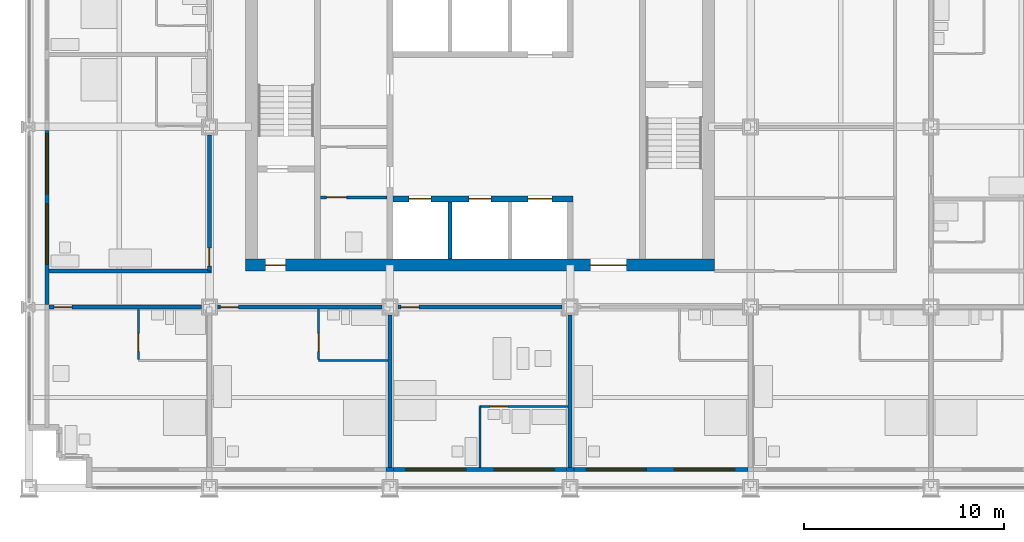
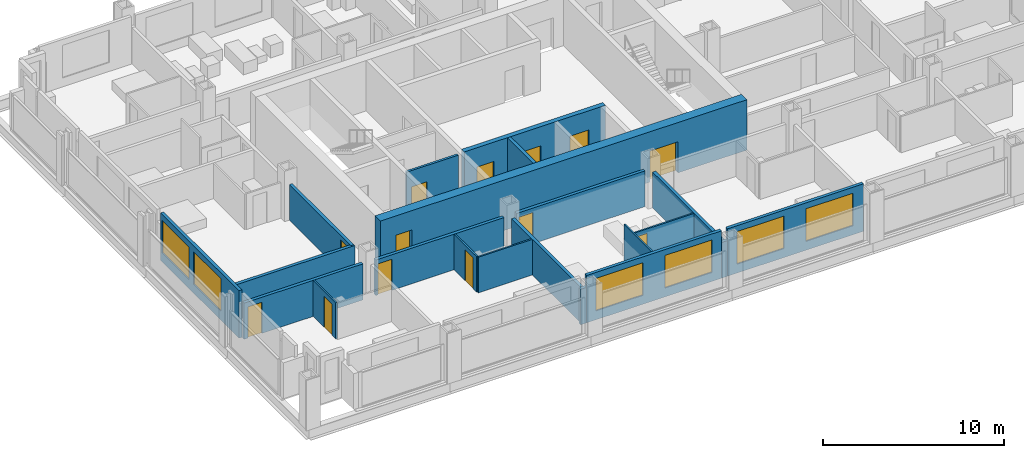
# One storey, part 10 of 18: 21 walls, 13 doors, 6 windows, 19 openings.
"""IFC4 building model written with IfcOpenShell, lengths in metres."""

from ifc_helpers import new_model, si_unit, direction, frame, frame_2d, origin, place, context, subcontext, project, spatial, rectangle, extrude, material, layer, layer_set, type_object, element, fill, save


model = new_model("IFC4")

# Units and contexts
model_context = context("Model", 3, precision=1e-05, world=origin(), true_north=direction((0.0, 1.0)))
body_context = subcontext(model_context, "Body", "Model", "MODEL_VIEW")
ifc_project = project(units=[si_unit("LENGTHUNIT", "METRE"), si_unit("AREAUNIT", "SQUARE_METRE"), si_unit("VOLUMEUNIT", "CUBIC_METRE"), si_unit("PLANEANGLEUNIT", "RADIAN"), si_unit("MASSUNIT", "GRAM", prefix="KILO")], contexts=[model_context])

# Site, building, storey
site_placement = place(None, origin())
site = spatial("IfcSite", under=ifc_project, at=site_placement, CompositionType="ELEMENT")
building_placement = place(site_placement, origin())
building = spatial("IfcBuilding", under=site, at=building_placement, Name="Loomwork Tower", CompositionType="ELEMENT")
storey_placement = place(building_placement, frame((0.0, 0.0, 41.60009765625)))
storey = spatial("IfcBuildingStorey", under=building, at=storey_placement, Name="L09", CompositionType="ELEMENT", Elevation=41.60009765625)

# Wall, openings, doors
ifc_material_1 = material(Name="Concrete 14000 psi (97 MPa)", Category="concrete")
ifc_layer_1 = layer(ifc_material_1, 0.300048828125)
ifc_layer_set_1 = layer_set([ifc_layer_1], Name="Core shear wall 300")
wall_type_1 = type_object("IfcWallType", Name="Core shear wall 300", PredefinedType="SHEAR", material=ifc_layer_set_1)
wall_1_placement = place(storey_placement, frame((18.14990234375, 14.39990234375, 0.0), z_axis=(0.0, 0.0, 1.0), x_axis=(1.0, 0.0, 0.0)))
wall_1 = element("IfcWall", 1, at=wall_1_placement, inside=storey, type_object=wall_type_1, Name="Lift front wall south L09", PredefinedType="SHEAR", context=body_context, shape_type="SweptSolid", body=[
    extrude(rectangle(XDim=9.0, YDim=0.300048828125, at=frame_2d((4.5, 0.0))), origin(), (0.0, 0.0, 1.0), 3.39990234375),
])
opening_1_placement = place(wall_1_placement, frame((0.800048828125, 0.0, 0.0)))
opening_1 = element("IfcOpeningElement", 2, at=opening_1_placement, cuts=wall_1, Name="Opening LD1", PredefinedType="OPENING", context=body_context, shape_type="SweptSolid", body=[
    extrude(rectangle(XDim=1.10009765625, YDim=2.10009765625, at=frame_2d((0.550048828125, 1.050048828125))), frame((0.0, 0.159912109375, 0.0), z_axis=(0.0, -1.0, 0.0), x_axis=(1.0, 0.0, 0.0)), (0.0, 0.0, 1.0), 0.320068359375),
])
opening_2_placement = place(wall_1_placement, frame((3.800048828125, 0.0, 0.0)))
opening_2 = element("IfcOpeningElement", 3, at=opening_2_placement, cuts=wall_1, Name="Opening LD1", PredefinedType="OPENING", context=body_context, shape_type="SweptSolid", body=[
    extrude(rectangle(XDim=1.10009765625, YDim=2.10009765625, at=frame_2d((0.550048828125, 1.050048828125))), frame((0.0, 0.159912109375, 0.0), z_axis=(0.0, -1.0, 0.0), x_axis=(1.0, 0.0, 0.0)), (0.0, 0.0, 1.0), 0.320068359375),
])
opening_3_placement = place(wall_1_placement, frame((6.75, 0.0, 0.0)))
opening_3 = element("IfcOpeningElement", 4, at=opening_3_placement, cuts=wall_1, Name="Opening LD2", PredefinedType="OPENING", context=body_context, shape_type="SweptSolid", body=[
    extrude(rectangle(XDim=1.199951171875, YDim=2.10009765625, at=frame_2d((0.60009765625, 1.050048828125))), frame((0.0, 0.159912109375, 0.0), z_axis=(0.0, -1.0, 0.0), x_axis=(1.0, 0.0, 0.0)), (0.0, 0.0, 1.0), 0.320068359375),
])
ifc_material_2 = material(Name="Hollow metal door and frame")
door_type_1 = type_object("IfcDoorType", Name="Lift landing door 1100", OperationType="SLIDING_TO_LEFT", PredefinedType="DOOR", material=ifc_material_2)
door_1_placement = place(opening_1_placement, origin())
door_1 = element("IfcDoor", 5, at=door_1_placement, inside=storey, type_object=door_type_1, Name="Lift landing door LA1", OperationType="SLIDING_TO_LEFT", OverallHeight=2.10009765625, OverallWidth=1.10009765625, PredefinedType="DOOR", context=body_context, shape_type="SweptSolid", body=[
    extrude(rectangle(XDim=1.10009765625, YDim=2.10009765625, at=frame_2d((0.550048828125, 1.050048828125))), frame((0.0, 0.02490234375, 0.0), z_axis=(0.0, -1.0, 0.0), x_axis=(1.0, 0.0, 0.0)), (0.0, 0.0, 1.0), 0.050048828125),
])
fill(opening_1, door_1)
door_2_placement = place(opening_2_placement, origin())
door_2 = element("IfcDoor", 6, at=door_2_placement, inside=storey, type_object=door_type_1, Name="Lift landing door LA2", OperationType="SLIDING_TO_LEFT", OverallHeight=2.10009765625, OverallWidth=1.10009765625, PredefinedType="DOOR", context=body_context, shape_type="SweptSolid", body=[
    extrude(rectangle(XDim=1.10009765625, YDim=2.10009765625, at=frame_2d((0.550048828125, 1.050048828125))), frame((0.0, 0.02490234375, 0.0), z_axis=(0.0, -1.0, 0.0), x_axis=(1.0, 0.0, 0.0)), (0.0, 0.0, 1.0), 0.050048828125),
])
fill(opening_2, door_2)
ifc_material_3 = material(Name="Hollow metal door and frame")
door_type_2 = type_object("IfcDoorType", Name="Lift landing door 1200", OperationType="SLIDING_TO_LEFT", PredefinedType="DOOR", material=ifc_material_3)
door_3_placement = place(opening_3_placement, origin())
door_3 = element("IfcDoor", 7, at=door_3_placement, inside=storey, type_object=door_type_2, Name="Lift landing door LF1", OperationType="SLIDING_TO_LEFT", OverallHeight=2.10009765625, OverallWidth=1.199951171875, PredefinedType="DOOR", context=body_context, shape_type="SweptSolid", body=[
    extrude(rectangle(XDim=1.199951171875, YDim=2.10009765625, at=frame_2d((0.60009765625, 1.050048828125))), frame((0.0, 0.02490234375, 0.0), z_axis=(0.0, -1.0, 0.0), x_axis=(1.0, 0.0, 0.0)), (0.0, 0.0, 1.0), 0.050048828125),
])
fill(opening_3, door_3)

ifc_material_4 = material(Name="Concrete 14000 psi (97 MPa)", Category="concrete")
ifc_layer_2 = layer(ifc_material_4, 0.60009765625)
ifc_layer_set_2 = layer_set([ifc_layer_2], Name="Core shear wall 600")
wall_type_2 = type_object("IfcWallType", Name="Core shear wall 600", PredefinedType="SHEAR", material=ifc_layer_set_2)
wall_2_placement = place(storey_placement, frame((10.800048828125, 11.10009765625, 0.0), z_axis=(0.0, 0.0, 1.0), x_axis=(1.0, 0.0, 0.0)))
wall_2 = element("IfcWall", 8, at=wall_2_placement, inside=storey, type_object=wall_type_2, Name="Core wall south L09", PredefinedType="SHEAR", context=body_context, shape_type="SweptSolid", body=[
    extrude(rectangle(XDim=23.39990234375, YDim=0.60009765625, at=frame_2d((11.699951171875, 0.0))), origin(), (0.0, 0.0, 1.0), 3.39990234375),
])
opening_4_placement = place(wall_2_placement, frame((1.0, 0.0, 0.0)))
opening_4 = element("IfcOpeningElement", 9, at=opening_4_placement, cuts=wall_2, Name="Opening D4", PredefinedType="OPENING", context=body_context, shape_type="SweptSolid", body=[
    extrude(rectangle(XDim=1.0, YDim=2.10009765625, at=frame_2d((0.5, 1.050048828125))), frame((0.0, 0.31005859375, 0.0), z_axis=(0.0, -1.0, 0.0), x_axis=(1.0, 0.0, 0.0)), (0.0, 0.0, 1.0), 0.6201171875),
])
opening_5_placement = place(wall_2_placement, frame((17.199951171875, 0.0, 0.0)))
opening_5 = element("IfcOpeningElement", 10, at=opening_5_placement, cuts=wall_2, Name="Opening D6", PredefinedType="OPENING", context=body_context, shape_type="SweptSolid", body=[
    extrude(rectangle(XDim=1.800048828125, YDim=2.10009765625, at=frame_2d((0.89990234375, 1.050048828125))), frame((0.0, 0.31005859375, 0.0), z_axis=(0.0, -1.0, 0.0), x_axis=(1.0, 0.0, 0.0)), (0.0, 0.0, 1.0), 0.6201171875),
])
ifc_material_5 = material(Name="Hollow metal door and frame")
door_type_3 = type_object("IfcDoorType", Name="Lobby passage double door 1800", OperationType="DOUBLE_DOOR_SINGLE_SWING", PredefinedType="DOOR", material=ifc_material_5)
door_4_placement = place(opening_5_placement, origin())
door_4 = element("IfcDoor", 11, at=door_4_placement, inside=storey, type_object=door_type_3, Name="Lobby passage door south", OperationType="DOUBLE_DOOR_SINGLE_SWING", OverallHeight=2.10009765625, OverallWidth=1.800048828125, PredefinedType="DOOR", context=body_context, shape_type="SweptSolid", body=[
    extrude(rectangle(XDim=1.800048828125, YDim=2.10009765625, at=frame_2d((0.89990234375, 1.050048828125))), frame((0.0, 0.02490234375, 0.0), z_axis=(0.0, -1.0, 0.0), x_axis=(1.0, 0.0, 0.0)), (0.0, 0.0, 1.0), 0.050048828125),
])
fill(opening_5, door_4)
ifc_material_6 = material(Name="Hollow metal door and frame")
door_type_4 = type_object("IfcDoorType", Name="Stair door 1000", OperationType="SINGLE_SWING_RIGHT", PredefinedType="DOOR", material=ifc_material_6)
door_5_placement = place(opening_4_placement, origin())
door_5 = element("IfcDoor", 12, at=door_5_placement, inside=storey, type_object=door_type_4, Name="Stair A vestibule door", OperationType="SINGLE_SWING_LEFT", OverallHeight=2.10009765625, OverallWidth=1.0, PredefinedType="DOOR", context=body_context, shape_type="SweptSolid", body=[
    extrude(rectangle(XDim=1.0, YDim=2.10009765625, at=frame_2d((0.5, 1.050048828125))), frame((0.0, 0.02490234375, 0.0), z_axis=(0.0, -1.0, 0.0), x_axis=(1.0, 0.0, 0.0)), (0.0, 0.0, 1.0), 0.050048828125),
])
fill(opening_4, door_5)

# Wall, opening, door
ifc_material_7 = material(Name="Gypsum board on steel studs, one-hour", Category="steel")
ifc_layer_3 = layer(ifc_material_7, 0.199951171875)
ifc_layer_set_3 = layer_set([ifc_layer_3], Name="Corridor wall 200")
wall_type_3 = type_object("IfcWallType", Name="Corridor wall 200", PredefinedType="PARTITIONING", material=ifc_layer_set_3)
wall_3_placement = place(storey_placement, frame((1.0, 9.0, 0.0), z_axis=(0.0, 0.0, 1.0), x_axis=(1.0, 0.0, 0.0)))
wall_3 = element("IfcWall", 13, at=wall_3_placement, inside=storey, type_object=wall_type_3, Name="South corridor wall 1", PredefinedType="PARTITIONING", context=body_context, shape_type="SweptSolid", body=[
    extrude(rectangle(XDim=7.60009765625, YDim=0.199951171875, at=frame_2d((3.800048828125, 0.0))), origin(), (0.0, 0.0, 1.0), 2.43798828125),
])
opening_6_placement = place(wall_3_placement, frame((0.25, 0.0, 0.0)))
opening_6 = element("IfcOpeningElement", 14, at=opening_6_placement, cuts=wall_3, Name="Opening D1", PredefinedType="OPENING", context=body_context, shape_type="SweptSolid", body=[
    extrude(rectangle(XDim=0.89990234375, YDim=2.10009765625, at=frame_2d((0.449951171875, 1.050048828125))), frame((0.0, 0.10986328125, 0.0), z_axis=(0.0, -1.0, 0.0), x_axis=(1.0, 0.0, 0.0)), (0.0, 0.0, 1.0), 0.219970703125),
])
ifc_material_8 = material(Name="Hollow metal door and frame")
door_type_5 = type_object("IfcDoorType", Name="Guest room entry door 900", OperationType="SINGLE_SWING_LEFT", PredefinedType="DOOR", material=ifc_material_8)
door_6_placement = place(opening_6_placement, frame((0.89990234375, 0.0, 0.0), z_axis=(0.0, 0.0, 1.0), x_axis=(-1.0, 0.0, 0.0)))
door_6 = element("IfcDoor", 15, at=door_6_placement, inside=storey, type_object=door_type_5, Name="Guest room entry door L09 1", OperationType="SINGLE_SWING_RIGHT", OverallHeight=2.10009765625, OverallWidth=0.89990234375, PredefinedType="DOOR", context=body_context, shape_type="SweptSolid", body=[
    extrude(rectangle(XDim=0.89990234375, YDim=2.10009765625, at=frame_2d((0.449951171875, 1.050048828125))), frame((0.0, 0.02490234375, 0.0), z_axis=(0.0, -1.0, 0.0), x_axis=(1.0, 0.0, 0.0)), (0.0, 0.0, 1.0), 0.050048828125),
])
fill(opening_6, door_6)

wall_4_placement = place(storey_placement, frame((9.39990234375, 9.0, 0.0), z_axis=(0.0, 0.0, 1.0), x_axis=(1.0, 0.0, 0.0)))
wall_4 = element("IfcWall", 16, at=wall_4_placement, inside=storey, type_object=wall_type_3, Name="South corridor wall 2", PredefinedType="PARTITIONING", context=body_context, shape_type="SweptSolid", body=[
    extrude(rectangle(XDim=8.2001953125, YDim=0.199951171875, at=frame_2d((4.10009765625, 0.0))), origin(), (0.0, 0.0, 1.0), 2.40478515625),
])
opening_7_placement = place(wall_4_placement, frame((0.14990234375, 0.0, 0.0)))
opening_7 = element("IfcOpeningElement", 17, at=opening_7_placement, cuts=wall_4, Name="Opening D1", PredefinedType="OPENING", context=body_context, shape_type="SweptSolid", body=[
    extrude(rectangle(XDim=0.89990234375, YDim=2.10009765625, at=frame_2d((0.449951171875, 1.050048828125))), frame((0.0, 0.10986328125, 0.0), z_axis=(0.0, -1.0, 0.0), x_axis=(1.0, 0.0, 0.0)), (0.0, 0.0, 1.0), 0.219970703125),
])
door_7_placement = place(opening_7_placement, frame((0.89990234375, 0.0, 0.0), z_axis=(0.0, 0.0, 1.0), x_axis=(-1.0, 0.0, 0.0)))
door_7 = element("IfcDoor", 18, at=door_7_placement, inside=storey, type_object=door_type_5, Name="Guest room entry door L09 2", OperationType="SINGLE_SWING_RIGHT", OverallHeight=2.10009765625, OverallWidth=0.89990234375, PredefinedType="DOOR", context=body_context, shape_type="SweptSolid", body=[
    extrude(rectangle(XDim=0.89990234375, YDim=2.10009765625, at=frame_2d((0.449951171875, 1.050048828125))), frame((0.0, 0.02490234375, 0.0), z_axis=(0.0, -1.0, 0.0), x_axis=(1.0, 0.0, 0.0)), (0.0, 0.0, 1.0), 0.050048828125),
])
fill(opening_7, door_7)

wall_5_placement = place(storey_placement, frame((18.39990234375, 9.0, 0.0), z_axis=(0.0, 0.0, 1.0), x_axis=(1.0, 0.0, 0.0)))
wall_5 = element("IfcWall", 19, at=wall_5_placement, inside=storey, type_object=wall_type_3, Name="South corridor wall 3", PredefinedType="PARTITIONING", context=body_context, shape_type="SweptSolid", body=[
    extrude(rectangle(XDim=8.2001953125, YDim=0.199951171875, at=frame_2d((4.10009765625, 0.0))), origin(), (0.0, 0.0, 1.0), 2.40478515625),
])
opening_8_placement = place(wall_5_placement, frame((0.14990234375, 0.0, 0.0)))
opening_8 = element("IfcOpeningElement", 20, at=opening_8_placement, cuts=wall_5, Name="Opening D1", PredefinedType="OPENING", context=body_context, shape_type="SweptSolid", body=[
    extrude(rectangle(XDim=0.89990234375, YDim=2.10009765625, at=frame_2d((0.449951171875, 1.050048828125))), frame((0.0, 0.10986328125, 0.0), z_axis=(0.0, -1.0, 0.0), x_axis=(1.0, 0.0, 0.0)), (0.0, 0.0, 1.0), 0.219970703125),
])
door_8_placement = place(opening_8_placement, frame((0.89990234375, 0.0, 0.0), z_axis=(0.0, 0.0, 1.0), x_axis=(-1.0, 0.0, 0.0)))
door_8 = element("IfcDoor", 21, at=door_8_placement, inside=storey, type_object=door_type_5, Name="Guest room entry door L09 3", OperationType="SINGLE_SWING_RIGHT", OverallHeight=2.10009765625, OverallWidth=0.89990234375, PredefinedType="DOOR", context=body_context, shape_type="SweptSolid", body=[
    extrude(rectangle(XDim=0.89990234375, YDim=2.10009765625, at=frame_2d((0.449951171875, 1.050048828125))), frame((0.0, 0.02490234375, 0.0), z_axis=(0.0, -1.0, 0.0), x_axis=(1.0, 0.0, 0.0)), (0.0, 0.0, 1.0), 0.050048828125),
])
fill(opening_8, door_8)

wall_6_placement = place(storey_placement, frame((9.0, 10.800048828125, 0.0), z_axis=(0.0, 0.0, 1.0), x_axis=(0.0, 1.0, 0.0)))
wall_6 = element("IfcWall", 22, at=wall_6_placement, inside=storey, type_object=wall_type_3, Name="West corridor wall 1", PredefinedType="PARTITIONING", context=body_context, shape_type="SweptSolid", body=[
    extrude(rectangle(XDim=6.800048828125, YDim=0.199951171875, at=frame_2d((3.39990234375, 0.0))), origin(), (0.0, 0.0, 1.0), 2.40478515625),
])
opening_9_placement = place(wall_6_placement, frame((0.25, 0.0, 0.0)))
opening_9 = element("IfcOpeningElement", 23, at=opening_9_placement, cuts=wall_6, Name="Opening D1", PredefinedType="OPENING", context=body_context, shape_type="SweptSolid", body=[
    extrude(rectangle(XDim=0.89990234375, YDim=2.10009765625, at=frame_2d((0.449951171875, 1.050048828125))), frame((0.0, 0.10986328125, 0.0), z_axis=(0.0, -1.0, 0.0), x_axis=(1.0, 0.0, 0.0)), (0.0, 0.0, 1.0), 0.219970703125),
])
door_9_placement = place(opening_9_placement, origin())
door_9 = element("IfcDoor", 24, at=door_9_placement, inside=storey, type_object=door_type_5, Name="Guest room entry door L09 14", OperationType="SINGLE_SWING_LEFT", OverallHeight=2.10009765625, OverallWidth=0.89990234375, PredefinedType="DOOR", context=body_context, shape_type="SweptSolid", body=[
    extrude(rectangle(XDim=0.89990234375, YDim=2.10009765625, at=frame_2d((0.449951171875, 1.050048828125))), frame((0.0, 0.02490234375, 0.0), z_axis=(0.0, -1.0, 0.0), x_axis=(1.0, 0.0, 0.0)), (0.0, 0.0, 1.0), 0.050048828125),
])
fill(opening_9, door_9)

# Wall
wall_7_placement = place(storey_placement, frame((1.0, 10.800048828125, 0.0), z_axis=(0.0, 0.0, 1.0), x_axis=(1.0, 0.0, 0.0)))
element("IfcWall", 25, at=wall_7_placement, inside=storey, type_object=wall_type_3, Name="West band end wall S", PredefinedType="PARTITIONING", context=body_context, shape_type="SweptSolid", body=[
    extrude(rectangle(XDim=8.10009765625, YDim=0.199951171875, at=frame_2d((4.050048828125, 0.0))), origin(), (0.0, 0.0, 1.0), 2.40380859375),
])

# Wall, opening, door
ifc_material_9 = material(Name="Cement board on steel studs", Category="steel")
ifc_layer_4 = layer(ifc_material_9, 0.10009765625)
ifc_layer_set_4 = layer_set([ifc_layer_4], Name="En-suite partition 100")
wall_type_4 = type_object("IfcWallType", Name="En-suite partition 100", PredefinedType="PARTITIONING", material=ifc_layer_set_4)
wall_8_placement = place(storey_placement, frame((5.449951171875, 8.89990234375, 0.0), z_axis=(0.0, 0.0, 1.0), x_axis=(0.0, -1.0, 0.0)))
wall_8 = element("IfcWall", 26, at=wall_8_placement, inside=storey, type_object=wall_type_4, Name="En-suite side wall L09 room 1", PredefinedType="PARTITIONING", context=body_context, shape_type="SweptSolid", body=[
    extrude(rectangle(XDim=2.5, YDim=0.10009765625, at=frame_2d((1.25, 0.0))), origin(), (0.0, 0.0, 1.0), 2.43798828125),
])
opening_10_placement = place(wall_8_placement, frame((1.199951171875, 0.0, 0.0)))
opening_10 = element("IfcOpeningElement", 27, at=opening_10_placement, cuts=wall_8, Name="Opening D3", PredefinedType="OPENING", context=body_context, shape_type="SweptSolid", body=[
    extrude(rectangle(XDim=0.89990234375, YDim=2.10009765625, at=frame_2d((0.449951171875, 1.050048828125))), frame((0.0, 0.06005859375, 0.0), z_axis=(0.0, -1.0, 0.0), x_axis=(1.0, 0.0, 0.0)), (0.0, 0.0, 1.0), 0.1201171875),
])
ifc_material_10 = material(Name="Hollow metal door and frame")
door_type_6 = type_object("IfcDoorType", Name="Accessible en-suite door 900", OperationType="SLIDING_TO_LEFT", PredefinedType="DOOR", material=ifc_material_10)
door_10_placement = place(opening_10_placement, origin())
door_10 = element("IfcDoor", 28, at=door_10_placement, inside=storey, type_object=door_type_6, Name="Accessible en-suite door room 1", OperationType="SLIDING_TO_LEFT", OverallHeight=2.10009765625, OverallWidth=0.89990234375, PredefinedType="DOOR", context=body_context, shape_type="SweptSolid", body=[
    extrude(rectangle(XDim=0.89990234375, YDim=2.10009765625, at=frame_2d((0.449951171875, 1.050048828125))), frame((0.0, 0.02490234375, 0.0), z_axis=(0.0, -1.0, 0.0), x_axis=(1.0, 0.0, 0.0)), (0.0, 0.0, 1.0), 0.050048828125),
])
fill(opening_10, door_10)

# Wall
wall_9_placement = place(storey_placement, frame((14.449951171875, 6.35009765625, 0.0), z_axis=(0.0, 0.0, 1.0), x_axis=(1.0, 0.0, 0.0)))
element("IfcWall", 29, at=wall_9_placement, inside=storey, type_object=wall_type_4, Name="En-suite wall L09 room 2", PredefinedType="PARTITIONING", context=body_context, shape_type="SweptSolid", body=[
    extrude(rectangle(XDim=3.449951171875, YDim=0.10009765625, at=frame_2d((1.72509765625, 0.0))), origin(), (0.0, 0.0, 1.0), 2.40380859375),
])

# Wall, opening, door
wall_10_placement = place(storey_placement, frame((14.449951171875, 8.89990234375, 0.0), z_axis=(0.0, 0.0, 1.0), x_axis=(0.0, -1.0, 0.0)))
wall_10 = element("IfcWall", 30, at=wall_10_placement, inside=storey, type_object=wall_type_4, Name="En-suite side wall L09 room 2", PredefinedType="PARTITIONING", context=body_context, shape_type="SweptSolid", body=[
    extrude(rectangle(XDim=2.5, YDim=0.10009765625, at=frame_2d((1.25, 0.0))), origin(), (0.0, 0.0, 1.0), 2.40380859375),
])
opening_11_placement = place(wall_10_placement, frame((1.199951171875, 0.0, 0.0)))
opening_11 = element("IfcOpeningElement", 31, at=opening_11_placement, cuts=wall_10, Name="Opening D2", PredefinedType="OPENING", context=body_context, shape_type="SweptSolid", body=[
    extrude(rectangle(XDim=0.89990234375, YDim=2.10009765625, at=frame_2d((0.449951171875, 1.050048828125))), frame((0.0, 0.06005859375, 0.0), z_axis=(0.0, -1.0, 0.0), x_axis=(1.0, 0.0, 0.0)), (0.0, 0.0, 1.0), 0.1201171875),
])
ifc_material_11 = material(Name="Hollow metal door and frame")
door_type_7 = type_object("IfcDoorType", Name="En-suite door 900", OperationType="SINGLE_SWING_LEFT", PredefinedType="DOOR", material=ifc_material_11)
door_11_placement = place(opening_11_placement, origin())
door_11 = element("IfcDoor", 32, at=door_11_placement, inside=storey, type_object=door_type_7, Name="En-suite door room 2", OperationType="SINGLE_SWING_RIGHT", OverallHeight=2.10009765625, OverallWidth=0.89990234375, PredefinedType="DOOR", context=body_context, shape_type="SweptSolid", body=[
    extrude(rectangle(XDim=0.89990234375, YDim=2.10009765625, at=frame_2d((0.449951171875, 1.050048828125))), frame((0.0, 0.02490234375, 0.0), z_axis=(0.0, -1.0, 0.0), x_axis=(1.0, 0.0, 0.0)), (0.0, 0.0, 1.0), 0.050048828125),
])
fill(opening_11, door_11)

wall_11_placement = place(storey_placement, frame((22.5, 4.050048828125, 0.0), z_axis=(0.0, 0.0, 1.0), x_axis=(1.0, 0.0, 0.0)))
wall_11 = element("IfcWall", 33, at=wall_11_placement, inside=storey, type_object=wall_type_4, Name="Spa bathroom wall L09 room 3", PredefinedType="PARTITIONING", context=body_context, shape_type="SweptSolid", body=[
    extrude(rectangle(XDim=4.39990234375, YDim=0.10009765625, at=frame_2d((2.199951171875, 0.0))), origin(), (0.0, 0.0, 1.0), 2.40380859375),
])
opening_12_placement = place(wall_11_placement, frame((0.5, 0.0, 0.0)))
opening_12 = element("IfcOpeningElement", 34, at=opening_12_placement, cuts=wall_11, Name="Opening D2", PredefinedType="OPENING", context=body_context, shape_type="SweptSolid", body=[
    extrude(rectangle(XDim=0.89990234375, YDim=2.10009765625, at=frame_2d((0.449951171875, 1.050048828125))), frame((0.0, 0.06005859375, 0.0), z_axis=(0.0, -1.0, 0.0), x_axis=(1.0, 0.0, 0.0)), (0.0, 0.0, 1.0), 0.1201171875),
])
door_12_placement = place(opening_12_placement, frame((0.89990234375, 0.0, 0.0), z_axis=(0.0, 0.0, 1.0), x_axis=(-1.0, 0.0, 0.0)))
door_12 = element("IfcDoor", 35, at=door_12_placement, inside=storey, type_object=door_type_7, Name="Spa bathroom door room 3", OperationType="SINGLE_SWING_RIGHT", OverallHeight=2.10009765625, OverallWidth=0.89990234375, PredefinedType="DOOR", context=body_context, shape_type="SweptSolid", body=[
    extrude(rectangle(XDim=0.89990234375, YDim=2.10009765625, at=frame_2d((0.449951171875, 1.050048828125))), frame((0.0, 0.02490234375, 0.0), z_axis=(0.0, -1.0, 0.0), x_axis=(1.0, 0.0, 0.0)), (0.0, 0.0, 1.0), 0.050048828125),
])
fill(opening_12, door_12)

# Walls
wall_12_placement = place(storey_placement, frame((22.5, 4.050048828125, 0.0), z_axis=(0.0, 0.0, 1.0), x_axis=(0.0, -1.0, 0.0)))
element("IfcWall", 36, at=wall_12_placement, inside=storey, type_object=wall_type_4, Name="Spa bathroom side wall L09 room 3", PredefinedType="PARTITIONING", context=body_context, shape_type="SweptSolid", body=[
    extrude(rectangle(XDim=3.050048828125, YDim=0.10009765625, at=frame_2d((1.52490234375, 0.0))), origin(), (0.0, 0.0, 1.0), 3.199951171875),
])
ifc_material_12 = material(Name="Gypsum board on steel studs, acoustic", Category="steel")
ifc_layer_5 = layer(ifc_material_12, 0.199951171875)
ifc_layer_set_5 = layer_set([ifc_layer_5], Name="Guest room party wall 200")
wall_type_5 = type_object("IfcWallType", Name="Guest room party wall 200", PredefinedType="PARTITIONING", material=ifc_layer_set_5)
for number, where, z_axis, x_axis, name in (
    (37, (18.0, 8.60009765625, 0.0), (0.0, 0.0, 1.0), (0.0, -1.0, 0.0), "Guest room party wall S 18"),
    (38, (27.0, 8.60009765625, 0.0), (0.0, 0.0, 1.0), (0.0, -1.0, 0.0), "Guest room party wall S 27"),
):
    element("IfcWall", number, at=place(storey_placement, frame(where, z_axis=z_axis, x_axis=x_axis)), inside=storey, type_object=wall_type_5, Name=name, PredefinedType="PARTITIONING", context=body_context, shape_type="SweptSolid", body=[
        extrude(rectangle(XDim=7.60009765625, YDim=0.199951171875, at=frame_2d((3.800048828125, 0.0))), origin(), (0.0, 0.0, 1.0), 2.40478515625),
    ])
ifc_material_13 = material(Name="Insulated steel stud wall with gypsum lining", Category="steel")
ifc_layer_6 = layer(ifc_material_13, 0.199951171875)
ifc_layer_set_6 = layer_set([ifc_layer_6], Name="Inner skin wall 200")
wall_type_6 = type_object("IfcWallType", Name="Inner skin wall 200", PredefinedType="SOLIDWALL", material=ifc_layer_set_6)
wall_13_placement = place(storey_placement, frame((17.80615234375, 0.89990234375, 0.0), z_axis=(0.0, 0.0, 1.0), x_axis=(1.0, 0.0, 0.0)))
element("IfcWall", 39, at=wall_13_placement, inside=storey, type_object=wall_type_6, Name="Inner skin wall S bay 4", PredefinedType="SOLIDWALL", context=body_context, shape_type="SweptSolid", body=[
    extrude(rectangle(XDim=0.3876953125, YDim=0.199951171875, at=frame_2d((0.19384765625, 0.0))), origin(), (0.0, 0.0, 1.0), 2.40380859375),
])

# Wall, openings, windows
wall_14_placement = place(storey_placement, frame((18.19384765625, 0.89990234375, 0.0), z_axis=(0.0, 0.0, 1.0), x_axis=(1.0, 0.0, 0.0)))
wall_14 = element("IfcWall", 40, at=wall_14_placement, inside=storey, type_object=wall_type_6, Name="Inner skin wall S bay 5", PredefinedType="SOLIDWALL", context=body_context, shape_type="SweptSolid", body=[
    extrude(rectangle(XDim=8.6123046875, YDim=0.199951171875, at=frame_2d((4.30615234375, 0.0))), origin(), (0.0, 0.0, 1.0), 3.199951171875),
])
opening_13_placement = place(wall_14_placement, frame((0.606201171875, 0.0, 0.60009765625)))
opening_13 = element("IfcOpeningElement", 41, at=opening_13_placement, cuts=wall_14, Name="Opening CH1", PredefinedType="OPENING", context=body_context, shape_type="SweptSolid", body=[
    extrude(rectangle(XDim=3.0, YDim=2.199951171875, at=frame_2d((1.5, 1.10009765625))), frame((0.0, 0.10986328125, 0.0), z_axis=(0.0, -1.0, 0.0), x_axis=(1.0, 0.0, 0.0)), (0.0, 0.0, 1.0), 0.219970703125),
])
opening_14_placement = place(wall_14_placement, frame((5.006103515625, 0.0, 0.60009765625)))
opening_14 = element("IfcOpeningElement", 42, at=opening_14_placement, cuts=wall_14, Name="Opening CH1", PredefinedType="OPENING", context=body_context, shape_type="SweptSolid", body=[
    extrude(rectangle(XDim=3.0, YDim=2.199951171875, at=frame_2d((1.5, 1.10009765625))), frame((0.0, 0.10986328125, 0.0), z_axis=(0.0, -1.0, 0.0), x_axis=(1.0, 0.0, 0.0)), (0.0, 0.0, 1.0), 0.219970703125),
])
ifc_material_14 = material(Name="Aluminium frame with clear insulated glass", Category="aluminium")
window_type = type_object("IfcWindowType", Name="Chicago window 3000", PartitioningType="TRIPLE_PANEL_VERTICAL", PredefinedType="WINDOW", material=ifc_material_14)
window_1_placement = place(opening_13_placement, origin())
window_1 = element("IfcWindow", 43, at=window_1_placement, inside=storey, type_object=window_type, Name="Chicago window L09 bay 3", OverallHeight=2.199951171875, OverallWidth=3.0, PartitioningType="TRIPLE_PANEL_VERTICAL", PredefinedType="WINDOW", context=body_context, shape_type="SweptSolid", body=[
    extrude(rectangle(XDim=3.0, YDim=2.199951171875, at=frame_2d((1.5, 1.10009765625))), frame((0.0, 0.030029296875, 0.0), z_axis=(0.0, -1.0, 0.0), x_axis=(1.0, 0.0, 0.0)), (0.0, 0.0, 1.0), 0.06005859375),
])
fill(opening_13, window_1)
window_2_placement = place(opening_14_placement, origin())
window_2 = element("IfcWindow", 44, at=window_2_placement, inside=storey, type_object=window_type, Name="Chicago window L09 bay 3", OverallHeight=2.199951171875, OverallWidth=3.0, PartitioningType="TRIPLE_PANEL_VERTICAL", PredefinedType="WINDOW", context=body_context, shape_type="SweptSolid", body=[
    extrude(rectangle(XDim=3.0, YDim=2.199951171875, at=frame_2d((1.5, 1.10009765625))), frame((0.0, 0.030029296875, 0.0), z_axis=(0.0, -1.0, 0.0), x_axis=(1.0, 0.0, 0.0)), (0.0, 0.0, 1.0), 0.06005859375),
])
fill(opening_14, window_2)

# Wall
wall_15_placement = place(storey_placement, frame((26.80615234375, 0.89990234375, 0.0), z_axis=(0.0, 0.0, 1.0), x_axis=(1.0, 0.0, 0.0)))
element("IfcWall", 45, at=wall_15_placement, inside=storey, type_object=wall_type_6, Name="Inner skin wall S bay 6", PredefinedType="SOLIDWALL", context=body_context, shape_type="SweptSolid", body=[
    extrude(rectangle(XDim=0.3876953125, YDim=0.199951171875, at=frame_2d((0.19384765625, 0.0))), origin(), (0.0, 0.0, 1.0), 2.40380859375),
])

# Wall, openings, windows
wall_16_placement = place(storey_placement, frame((27.19384765625, 0.89990234375, 0.0), z_axis=(0.0, 0.0, 1.0), x_axis=(1.0, 0.0, 0.0)))
wall_16 = element("IfcWall", 46, at=wall_16_placement, inside=storey, type_object=wall_type_6, Name="Inner skin wall S bay 7", PredefinedType="SOLIDWALL", context=body_context, shape_type="SweptSolid", body=[
    extrude(rectangle(XDim=8.670654296875, YDim=0.199951171875, at=frame_2d((4.33544921875, 0.0))), origin(), (0.0, 0.0, 1.0), 3.199951171875),
])
opening_15_placement = place(wall_16_placement, frame((0.606201171875, 0.0, 0.60009765625)))
opening_15 = element("IfcOpeningElement", 47, at=opening_15_placement, cuts=wall_16, Name="Opening CH1", PredefinedType="OPENING", context=body_context, shape_type="SweptSolid", body=[
    extrude(rectangle(XDim=3.0, YDim=2.199951171875, at=frame_2d((1.5, 1.10009765625))), frame((0.0, 0.10986328125, 0.0), z_axis=(0.0, -1.0, 0.0), x_axis=(1.0, 0.0, 0.0)), (0.0, 0.0, 1.0), 0.219970703125),
])
opening_16_placement = place(wall_16_placement, frame((5.006103515625, 0.0, 0.60009765625)))
opening_16 = element("IfcOpeningElement", 48, at=opening_16_placement, cuts=wall_16, Name="Opening CH1", PredefinedType="OPENING", context=body_context, shape_type="SweptSolid", body=[
    extrude(rectangle(XDim=3.0, YDim=2.199951171875, at=frame_2d((1.5, 1.10009765625))), frame((0.0, 0.10986328125, 0.0), z_axis=(0.0, -1.0, 0.0), x_axis=(1.0, 0.0, 0.0)), (0.0, 0.0, 1.0), 0.219970703125),
])
window_3_placement = place(opening_15_placement, origin())
window_3 = element("IfcWindow", 49, at=window_3_placement, inside=storey, type_object=window_type, Name="Chicago window L09 bay 4", OverallHeight=2.199951171875, OverallWidth=3.0, PartitioningType="TRIPLE_PANEL_VERTICAL", PredefinedType="WINDOW", context=body_context, shape_type="SweptSolid", body=[
    extrude(rectangle(XDim=3.0, YDim=2.199951171875, at=frame_2d((1.5, 1.10009765625))), frame((0.0, 0.030029296875, 0.0), z_axis=(0.0, -1.0, 0.0), x_axis=(1.0, 0.0, 0.0)), (0.0, 0.0, 1.0), 0.06005859375),
])
fill(opening_15, window_3)
window_4_placement = place(opening_16_placement, origin())
window_4 = element("IfcWindow", 50, at=window_4_placement, inside=storey, type_object=window_type, Name="Chicago window L09 bay 4", OverallHeight=2.199951171875, OverallWidth=3.0, PartitioningType="TRIPLE_PANEL_VERTICAL", PredefinedType="WINDOW", context=body_context, shape_type="SweptSolid", body=[
    extrude(rectangle(XDim=3.0, YDim=2.199951171875, at=frame_2d((1.5, 1.10009765625))), frame((0.0, 0.030029296875, 0.0), z_axis=(0.0, -1.0, 0.0), x_axis=(1.0, 0.0, 0.0)), (0.0, 0.0, 1.0), 0.06005859375),
])
fill(opening_16, window_4)

wall_17_placement = place(storey_placement, frame((0.89990234375, 9.13525390625, 0.0), z_axis=(0.0, 0.0, 1.0), x_axis=(0.0, 1.0, 0.0)))
wall_17 = element("IfcWall", 51, at=wall_17_placement, inside=storey, type_object=wall_type_6, Name="Inner skin wall W bay 5", PredefinedType="SOLIDWALL", context=body_context, shape_type="SweptSolid", body=[
    extrude(rectangle(XDim=8.6708984375, YDim=0.199951171875, at=frame_2d((4.33544921875, 0.0))), origin(), (0.0, 0.0, 1.0), 3.199951171875),
])
opening_17_placement = place(wall_17_placement, frame((2.0146484375, 0.0, 0.60009765625)))
opening_17 = element("IfcOpeningElement", 52, at=opening_17_placement, cuts=wall_17, Name="Opening CH1", PredefinedType="OPENING", context=body_context, shape_type="SweptSolid", body=[
    extrude(rectangle(XDim=3.0, YDim=2.199951171875, at=frame_2d((1.5, 1.10009765625))), frame((0.0, 0.10986328125, 0.0), z_axis=(0.0, -1.0, 0.0), x_axis=(1.0, 0.0, 0.0)), (0.0, 0.0, 1.0), 0.219970703125),
])
opening_18_placement = place(wall_17_placement, frame((5.5146484375, 0.0, 0.60009765625)))
opening_18 = element("IfcOpeningElement", 53, at=opening_18_placement, cuts=wall_17, Name="Opening CH1", PredefinedType="OPENING", context=body_context, shape_type="SweptSolid", body=[
    extrude(rectangle(XDim=3.0, YDim=2.199951171875, at=frame_2d((1.5, 1.10009765625))), frame((0.0, 0.10986328125, 0.0), z_axis=(0.0, -1.0, 0.0), x_axis=(1.0, 0.0, 0.0)), (0.0, 0.0, 1.0), 0.219970703125),
])
window_5_placement = place(opening_17_placement, origin())
window_5 = element("IfcWindow", 54, at=window_5_placement, inside=storey, type_object=window_type, Name="Chicago window L09 bay 13", OverallHeight=2.199951171875, OverallWidth=3.0, PartitioningType="TRIPLE_PANEL_VERTICAL", PredefinedType="WINDOW", context=body_context, shape_type="SweptSolid", body=[
    extrude(rectangle(XDim=3.0, YDim=2.199951171875, at=frame_2d((1.5, 1.10009765625))), frame((0.0, 0.030029296875, 0.0), z_axis=(0.0, -1.0, 0.0), x_axis=(1.0, 0.0, 0.0)), (0.0, 0.0, 1.0), 0.06005859375),
])
fill(opening_17, window_5)
window_6_placement = place(opening_18_placement, origin())
window_6 = element("IfcWindow", 55, at=window_6_placement, inside=storey, type_object=window_type, Name="Chicago window L09 bay 13", OverallHeight=2.199951171875, OverallWidth=3.0, PartitioningType="TRIPLE_PANEL_VERTICAL", PredefinedType="WINDOW", context=body_context, shape_type="SweptSolid", body=[
    extrude(rectangle(XDim=3.0, YDim=2.199951171875, at=frame_2d((1.5, 1.10009765625))), frame((0.0, 0.030029296875, 0.0), z_axis=(0.0, -1.0, 0.0), x_axis=(1.0, 0.0, 0.0)), (0.0, 0.0, 1.0), 0.06005859375),
])
fill(opening_18, window_6)

# Wall
ifc_material_15 = material(Name="Concrete 14000 psi (97 MPa)", Category="concrete")
ifc_layer_7 = layer(ifc_material_15, 0.199951171875)
ifc_layer_set_7 = layer_set([ifc_layer_7], Name="Lift shaft wall 200")
wall_type_7 = type_object("IfcWallType", Name="Lift shaft wall 200", PredefinedType="SHEAR", material=ifc_layer_set_7)
wall_18_placement = place(storey_placement, frame((21.0, 11.39990234375, 0.0), z_axis=(0.0, 0.0, 1.0), x_axis=(0.0, 1.0, 0.0)))
element("IfcWall", 56, at=wall_18_placement, inside=storey, type_object=wall_type_7, Name="Lift shaft separation wall south 1 L09", PredefinedType="SHEAR", context=body_context, shape_type="SweptSolid", body=[
    extrude(rectangle(XDim=2.85009765625, YDim=0.199951171875, at=frame_2d((1.425048828125, 0.0))), origin(), (0.0, 0.0, 1.0), 3.39990234375),
])

# Wall, opening, door
ifc_material_16 = material(Name="Gypsum board on steel studs, one-hour", Category="steel")
ifc_layer_8 = layer(ifc_material_16, 0.14990234375)
ifc_layer_set_8 = layer_set([ifc_layer_8], Name="Service partition 150")
wall_type_8 = type_object("IfcWallType", Name="Service partition 150", PredefinedType="PARTITIONING", material=ifc_layer_set_8)
wall_19_placement = place(storey_placement, frame((14.550048828125, 14.47509765625, 0.0), z_axis=(0.0, 0.0, 1.0), x_axis=(1.0, 0.0, 0.0)))
wall_19 = element("IfcWall", 57, at=wall_19_placement, inside=storey, type_object=wall_type_8, Name="Back-of-house partition L09", PredefinedType="PARTITIONING", context=body_context, shape_type="SweptSolid", body=[
    extrude(rectangle(XDim=3.300048828125, YDim=0.14990234375, at=frame_2d((1.64990234375, 0.0))), origin(), (0.0, 0.0, 1.0), 3.199951171875),
])
opening_19_placement = place(wall_19_placement, frame((0.300048828125, 0.0, 0.0)))
opening_19 = element("IfcOpeningElement", 58, at=opening_19_placement, cuts=wall_19, Name="Opening D5", PredefinedType="OPENING", context=body_context, shape_type="SweptSolid", body=[
    extrude(rectangle(XDim=1.0, YDim=2.10009765625, at=frame_2d((0.5, 1.050048828125))), frame((0.0, 0.0849609375, 0.0), z_axis=(0.0, -1.0, 0.0), x_axis=(1.0, 0.0, 0.0)), (0.0, 0.0, 1.0), 0.169921875),
])
ifc_material_17 = material(Name="Hollow metal door and frame")
door_type_8 = type_object("IfcDoorType", Name="Service door 1000", OperationType="SINGLE_SWING_LEFT", PredefinedType="DOOR", material=ifc_material_17)
door_13_placement = place(opening_19_placement, origin())
door_13 = element("IfcDoor", 59, at=door_13_placement, inside=storey, type_object=door_type_8, Name="Back-of-house room door", OperationType="SINGLE_SWING_LEFT", OverallHeight=2.10009765625, OverallWidth=1.0, PredefinedType="DOOR", context=body_context, shape_type="SweptSolid", body=[
    extrude(rectangle(XDim=1.0, YDim=2.10009765625, at=frame_2d((0.5, 1.050048828125))), frame((0.0, 0.02490234375, 0.0), z_axis=(0.0, -1.0, 0.0), x_axis=(1.0, 0.0, 0.0)), (0.0, 0.0, 1.0), 0.050048828125),
])
fill(opening_19, door_13)

save(model, "model.ifc")
